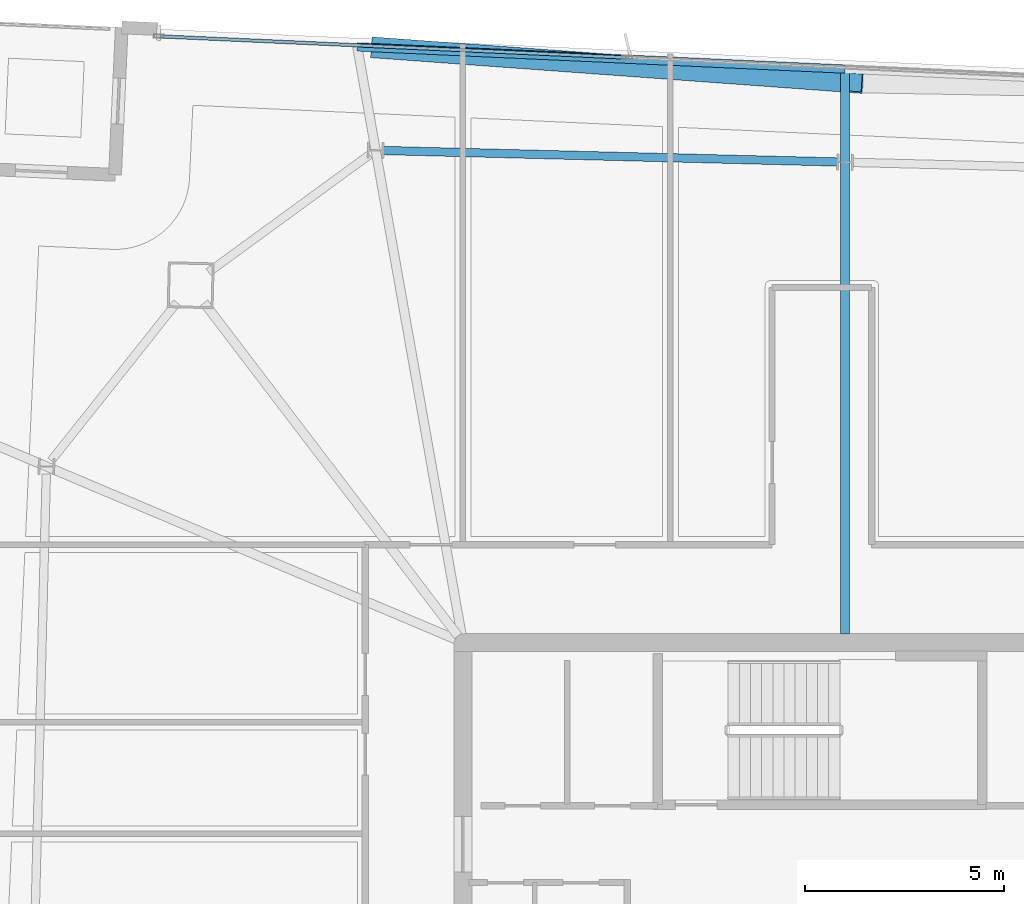
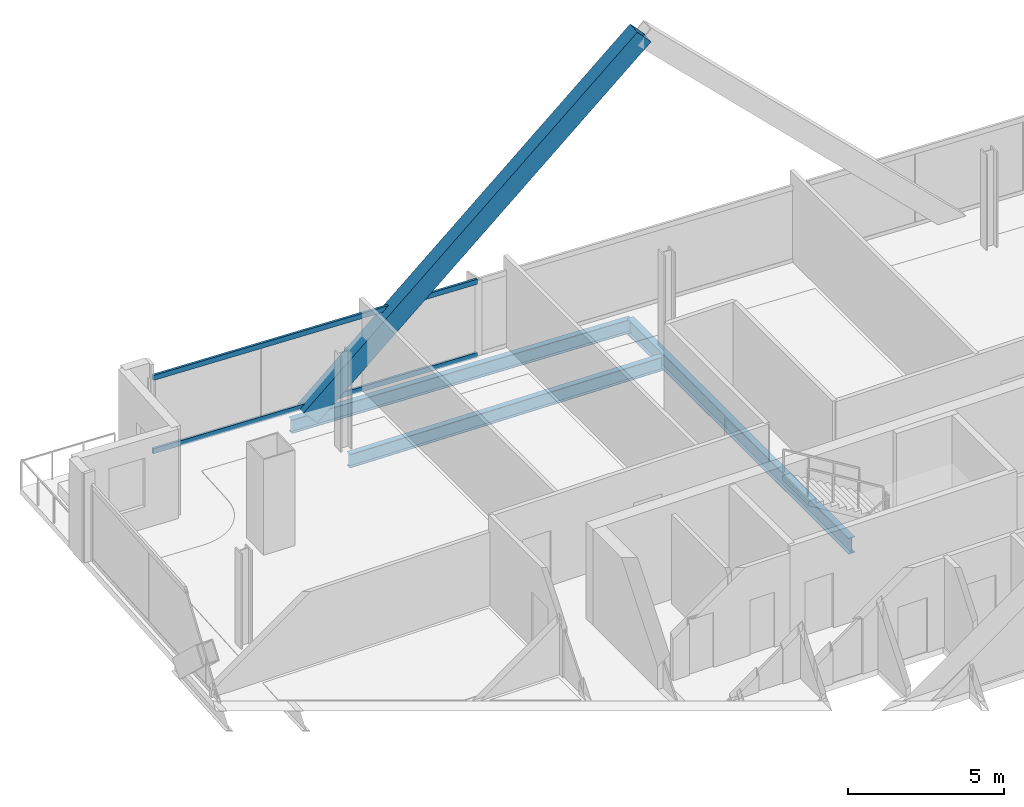
# One storey, part 15 of 26: 3 beams, 3 members, 1 element without a shape of its own.
"""IFC4 building model written with IfcOpenShell, lengths in metres."""

from ifc_helpers import new_model, si_unit, direction, frame, origin, origin_2d, place, context, subcontext, project, spatial, hollow_rectangle, i_section, extrude, material, material_profile, profile_set, type_object, element, aggregate, save


model = new_model("IFC4")

# Units and contexts
model_context = context("Model", 3, precision=1e-05, world=origin(), true_north=direction((0.0, 1.0)))
body_context = subcontext(model_context, "Body", "Model", "MODEL_VIEW")
ifc_project = project(units=[si_unit("LENGTHUNIT", "METRE"), si_unit("AREAUNIT", "SQUARE_METRE"), si_unit("VOLUMEUNIT", "CUBIC_METRE"), si_unit("PLANEANGLEUNIT", "RADIAN"), si_unit("MASSUNIT", "GRAM", prefix="KILO")], contexts=[model_context])

# Site, building, storey
site_placement = place(None, origin())
site = spatial("IfcSite", under=ifc_project, at=site_placement, CompositionType="ELEMENT")
building_placement = place(site_placement, origin())
building = spatial("IfcBuilding", under=site, at=building_placement, Name="Haldenkirk Collegiate Tower", CompositionType="ELEMENT")
storey_placement = place(building_placement, frame((0.0, 0.0, 321.449951171875)))
storey = spatial("IfcBuildingStorey", under=building, at=storey_placement, Name="L81", CompositionType="ELEMENT", Elevation=321.449951171875)

# Beams
ifc_material_1 = material(Name="Steel ASTM A992 Grade 50", Category="steel")
ifc_material_profile_1 = material_profile(ifc_material_1, i_section(OverallWidth=0.22998046875, OverallDepth=0.616943359375, WebThickness=0.01318359375, FlangeThickness=0.022216796875, at=origin_2d()), Name="W24X94")
ifc_profile_set_1 = profile_set([ifc_material_profile_1], Name="Steel ASTM A992 Grade 50")
beam_type_1 = type_object("IfcBeamType", Name="BM-GIRDER-W24X94", PredefinedType="BEAM", material=ifc_profile_set_1)
beam_1_placement = place(storey_placement, frame((36.582275390625, 48.376708984375, -0.568359375), z_axis=(0.0, -1.0, 0.0), x_axis=(1.0, 0.0, 0.0)))
element("IfcBeam", 1, at=beam_1_placement, inside=storey, type_object=beam_type_1, Name="L81 primary floor girder 09", PredefinedType="BEAM", context=body_context, shape_type="SweptSolid", body=[
    extrude(i_section(OverallWidth=0.22998046875, OverallDepth=0.616943359375, WebThickness=0.01318359375, FlangeThickness=0.022216796875, at=origin_2d()), origin(), (0.0, 0.0, 1.0), 14.171630859375),
])
ifc_material_profile_2 = material_profile(ifc_material_1, i_section(OverallWidth=0.2099609375, OverallDepth=0.537109375, WebThickness=0.010986328125, FlangeThickness=0.017333984375, at=origin_2d()), Name="W21X68")
ifc_profile_set_2 = profile_set([ifc_material_profile_2], Name="Steel ASTM A992 Grade 50")
beam_type_2 = type_object("IfcBeamType", Name="BM-SPANDREL-W21X68", PredefinedType="SPANDREL", material=ifc_profile_set_2)
beam_2_placement = place(storey_placement, frame((36.394287109375, 46.04638671875, -0.528564453125), z_axis=(-0.999680042221, 0.02529452876, 0.0), x_axis=(-0.02529452876, -0.999680042221, 0.0)))
element("IfcBeam", 2, at=beam_2_placement, inside=storey, type_object=beam_type_2, Name="L81 perimeter spandrel beam 07", PredefinedType="SPANDREL", context=body_context, shape_type="SweptSolid", body=[
    extrude(i_section(OverallWidth=0.2099609375, OverallDepth=0.537109375, WebThickness=0.010986328125, FlangeThickness=0.017333984375, at=origin_2d()), origin(), (0.0, 0.0, 1.0), 11.39892578125),
])
beam_3_placement = place(storey_placement, frame((36.582275390625, 48.376708984375, -0.528564453125), z_axis=(-0.998971416192, 0.045344345092, 0.0), x_axis=(-0.045344345092, -0.998971416192, 0.0)))
element("IfcBeam", 3, at=beam_3_placement, inside=storey, type_object=beam_type_2, Name="L81 outer facade edge beam 2B", PredefinedType="SPANDREL", context=body_context, shape_type="SweptSolid", body=[
    extrude(i_section(OverallWidth=0.2099609375, OverallDepth=0.537109375, WebThickness=0.010986328125, FlangeThickness=0.017333984375, at=origin_2d()), origin(), (0.0, 0.0, 1.0), 12.24365234375),
])

# Curtain wall, members
ifc_material_2 = material(Name="Anodised architectural bronze aluminium", Category="aluminium")
curtain_wall_type = type_object("IfcCurtainWallType", Name="CW-SYS1B-CONVEX-HI", PredefinedType="USERDEFINED", material=ifc_material_2)
curtain_wall_placement = place(storey_placement, origin())
curtain_wall = element("IfcCurtainWall", 4, at=curtain_wall_placement, inside=storey, type_object=curtain_wall_type, Name="L81 Upper tower high-wind convex bronze unitised curtain wall", ObjectType="UNITISED CURTAIN WALL", PredefinedType="USERDEFINED")
ifc_material_profile_3 = material_profile(ifc_material_2, hollow_rectangle(XDim=0.0849609375, YDim=0.199951171875, WallThickness=0.0048828125, at=origin_2d()), Name="CW-TRN-1B")
ifc_profile_set_3 = profile_set([ifc_material_profile_3], Name="Anodised architectural bronze aluminium")
member_type_1 = type_object("IfcMemberType", Name="CW-TRN-1B", PredefinedType="USERDEFINED", material=ifc_profile_set_3)
member_1_placement = place(storey_placement, frame((19.420166015625, 49.196044921875, 0.04248046875), z_axis=(0.998970393788, -0.045366863846, 0.0), x_axis=(0.045366863846, 0.998970393788, 0.0)))
member_1 = element("IfcMember", 5, at=member_1_placement, type_object=member_type_1, Name="CW-1B transom 1.1", ObjectType="TRANSOM", PredefinedType="USERDEFINED", context=body_context, shape_type="SweptSolid", body=[
    extrude(hollow_rectangle(XDim=0.0849609375, YDim=0.199951171875, WallThickness=0.0048828125, at=origin_2d()), origin(), (0.0, 0.0, 1.0), 11.67236328125),
])
member_2_placement = place(storey_placement, frame((19.420166015625, 49.196044921875, 2.905517578125), z_axis=(0.998970393788, -0.045366863846, 0.0), x_axis=(0.045366863846, 0.998970393788, 0.0)))
member_2 = element("IfcMember", 6, at=member_2_placement, type_object=member_type_1, Name="CW-1B transom 1.2", ObjectType="TRANSOM", PredefinedType="USERDEFINED", context=body_context, shape_type="SweptSolid", body=[
    extrude(hollow_rectangle(XDim=0.0849609375, YDim=0.199951171875, WallThickness=0.0048828125, at=origin_2d()), origin(), (0.0, 0.0, 1.0), 11.67236328125),
])
aggregate(curtain_wall, [member_1, member_2])

# Member
ifc_material_3 = material(Name="Steel ASTM A572 Grade 50", Category="steel")
ifc_material_profile_4 = material_profile(ifc_material_3, hollow_rectangle(XDim=0.52001953125, YDim=0.719970703125, WallThickness=0.035888671875, at=origin_2d()), Name="BOX720X520X36")
ifc_profile_set_4 = profile_set([ifc_material_profile_4], Name="Steel ASTM A572 Grade 50")
member_type_2 = type_object("IfcMemberType", Name="MBR-MEGABRACE-BOX720X520X36", PredefinedType="BRACE", material=ifc_profile_set_4)
member_3_placement = place(storey_placement, frame((24.95068359375, 48.90478515625, -0.27001953125), z_axis=(0.72350218289, -0.052668855745, 0.68830994689), x_axis=(0.072604965291, 0.997360776758, 0.0)))
element("IfcMember", 7, at=member_3_placement, inside=storey, type_object=member_type_2, Name="Perimeter Mega Brace Z6 L81-L83 ER", PredefinedType="BRACE", context=body_context, shape_type="SweptSolid", body=[
    extrude(hollow_rectangle(XDim=0.52001953125, YDim=0.719970703125, WallThickness=0.035888671875, at=origin_2d()), origin(), (0.0, 0.0, 1.0), 16.344482421875),
])

save(model, "model.ifc")
